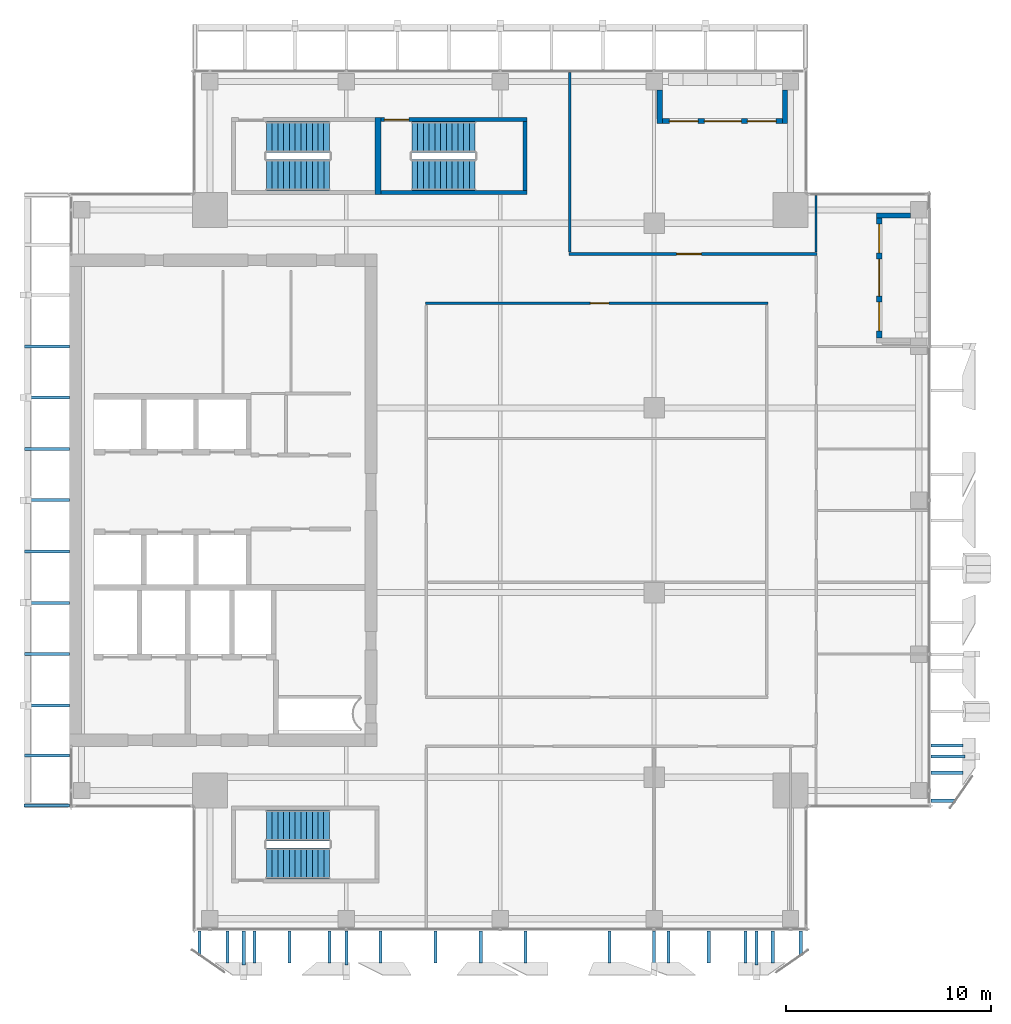
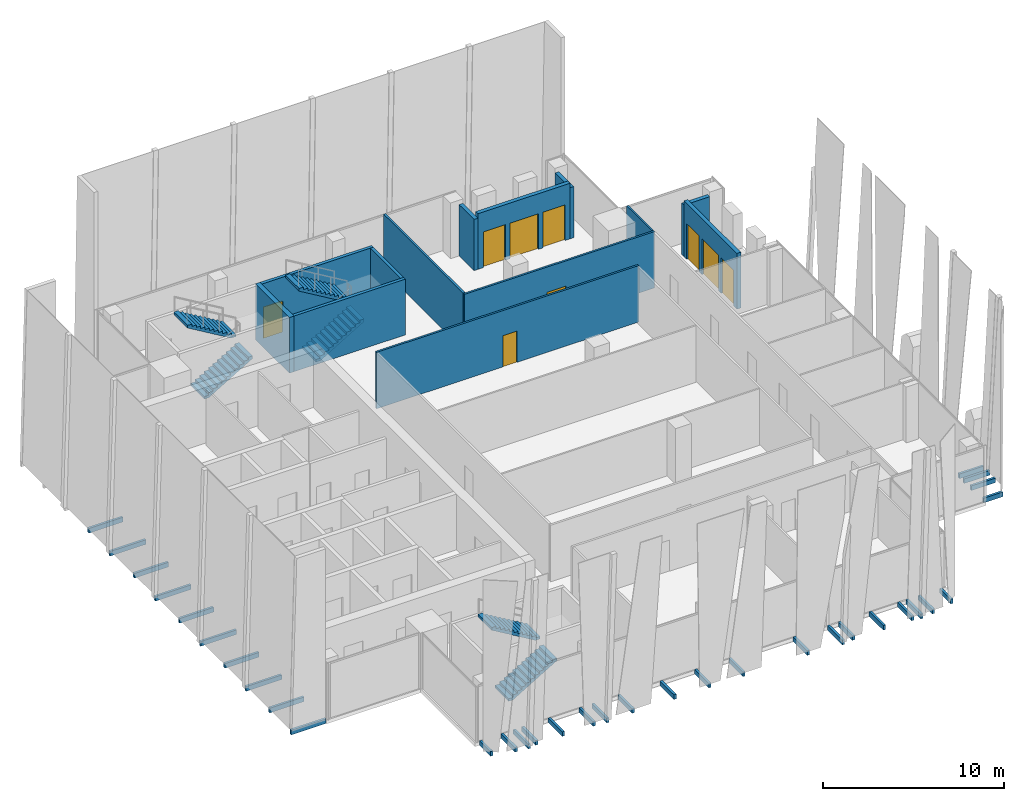
# One storey, part 28 of 33: 33 discrete accessories, 13 walls, 6 stair flights, 5 doors, 4 windows, 9 openings, 3 elements without a shape of their own.
"""IFC4 building model written with IfcOpenShell, lengths in metres."""

from ifc_helpers import new_model, si_unit, direction, frame, frame_2d, origin, origin_2d, place, context, subcontext, project, spatial, polyline, rectangle, outline, extrude, source, transform, mapped, material, layer, layer_set, type_object, element, fill, aggregate, save


model = new_model("IFC4")

# Units and contexts
model_context = context("Model", 3, precision=1e-05, world=origin(), true_north=direction((0.0, 1.0)))
body_context = subcontext(model_context, "Body", "Model", "MODEL_VIEW")
ifc_project = project(units=[si_unit("LENGTHUNIT", "METRE"), si_unit("AREAUNIT", "SQUARE_METRE"), si_unit("VOLUMEUNIT", "CUBIC_METRE"), si_unit("PLANEANGLEUNIT", "RADIAN"), si_unit("MASSUNIT", "GRAM", prefix="KILO")], contexts=[model_context])

# Site, building, storey
site_placement = place(None, origin())
site = spatial("IfcSite", under=ifc_project, at=site_placement, CompositionType="ELEMENT")
building_placement = place(site_placement, origin())
building = spatial("IfcBuilding", under=site, at=building_placement, Name="Khomas Fold Tower", CompositionType="ELEMENT")
storey_placement = place(building_placement, frame((0.0, 0.0, 294.199951171875)))
storey = spatial("IfcBuildingStorey", under=building, at=storey_placement, Name="L66", CompositionType="ELEMENT", Elevation=294.199951171875)

# Wall, opening, door
ifc_material_1 = material(Name="Concrete C50/60", Category="concrete")
ifc_layer_1 = layer(ifc_material_1, 0.199951171875)
ifc_layer_set_1 = layer_set([ifc_layer_1], Name="Concrete C50/60")
wall_type_1 = type_object("IfcWallType", Name="Stair wall 200", PredefinedType="SHEAR", material=ifc_layer_set_1)
shared_shape_1 = source(origin(), body_context, "Body", "SweptSolid", [
    extrude(rectangle(XDim=7.10009765625, YDim=0.199951171875, at=frame_2d((3.550048828125, 0.0))), origin(), (0.0, 0.0, 1.0), 3.75),
])
wall_1_placement = place(storey_placement, frame((21.199951171875, 45.550048828125, 0.0), z_axis=(0.0, 0.0, 1.0), x_axis=(1.0, 0.0, 0.0)))
wall_1 = element("IfcWall", 1, at=wall_1_placement, inside=storey, type_object=wall_type_1, Name="Stair wall SW-ST3-N", PredefinedType="SHEAR", context=body_context, shape_type="MappedRepresentation", body=[
    mapped(shared_shape_1, transform((0.0, 0.0, 0.0))),
])
shared_shape_2 = source(origin(), body_context, "Body", "SweptSolid", [
    extrude(rectangle(XDim=1.199951171875, YDim=2.10009765625, at=frame_2d((0.60009765625, 1.050048828125))), frame((0.0, 0.10986328125, 0.0), z_axis=(0.0, -1.0, 0.0), x_axis=(1.0, 0.0, 0.0)), (0.0, 0.0, 1.0), 0.219970703125),
])
opening_1_placement = place(wall_1_placement, frame((0.14990234375, 0.0, 0.0)))
opening_1 = element("IfcOpeningElement", 2, at=opening_1_placement, cuts=wall_1, Name="Opening SD-ST3", PredefinedType="OPENING", context=body_context, shape_type="MappedRepresentation", body=[
    mapped(shared_shape_2, transform((0.0, 0.0, 0.0))),
])
ifc_material_2 = material(Name="Steel door leaf", Category="steel")
door_type_1 = type_object("IfcDoorType", Name="Stair door 1200x2100 left-hand", OperationType="SINGLE_SWING_LEFT", PredefinedType="DOOR", material=ifc_material_2)
shared_shape_3 = source(origin(), body_context, "Body", "SweptSolid", [
    extrude(rectangle(XDim=1.199951171875, YDim=2.10009765625, at=frame_2d((0.60009765625, 1.050048828125))), frame((0.0, 0.02490234375, 0.0), z_axis=(0.0, -1.0, 0.0), x_axis=(1.0, 0.0, 0.0)), (0.0, 0.0, 1.0), 0.050048828125),
])
door_1_placement = place(opening_1_placement, origin())
door_1 = element("IfcDoor", 3, at=door_1_placement, inside=storey, type_object=door_type_1, Name="Stair door", OperationType="SINGLE_SWING_LEFT", OverallHeight=2.10009765625, OverallWidth=1.199951171875, PredefinedType="DOOR", context=body_context, shape_type="MappedRepresentation", body=[
    mapped(shared_shape_3, transform((0.0, 0.0, 0.0))),
])
fill(opening_1, door_1)

# Walls
wall_2_placement = place(storey_placement, frame((21.199951171875, 42.0, 0.0), z_axis=(0.0, 0.0, 1.0), x_axis=(1.0, 0.0, 0.0)))
element("IfcWall", 4, at=wall_2_placement, inside=storey, type_object=wall_type_1, Name="Stair wall SW-ST3-S", PredefinedType="SHEAR", context=body_context, shape_type="MappedRepresentation", body=[
    mapped(shared_shape_1, transform((0.0, 0.0, 0.0))),
])
ifc_material_3 = material(Name="Concrete C50/60", Category="concrete")
ifc_layer_2 = layer(ifc_material_3, 0.300048828125)
ifc_layer_set_2 = layer_set([ifc_layer_2], Name="Concrete C50/60")
wall_type_2 = type_object("IfcWallType", Name="Stair wall 300", PredefinedType="SHEAR", material=ifc_layer_set_2)
shared_shape_4 = source(origin(), body_context, "Body", "SweptSolid", [
    extrude(rectangle(XDim=3.75, YDim=0.300048828125, at=frame_2d((1.875, 0.0))), origin(), (0.0, 0.0, 1.0), 3.75),
])
wall_3_placement = place(storey_placement, frame((21.050048828125, 41.89990234375, 0.0), z_axis=(0.0, 0.0, 1.0), x_axis=(0.0, 1.0, 0.0)))
element("IfcWall", 5, at=wall_3_placement, inside=storey, type_object=wall_type_2, Name="Stair wall SW-ST1-E", PredefinedType="SHEAR", context=body_context, shape_type="MappedRepresentation", body=[
    mapped(shared_shape_4, transform((0.0, 0.0, 0.0))),
])
shared_shape_5 = source(origin(), body_context, "Body", "SweptSolid", [
    extrude(rectangle(XDim=3.349853515625, YDim=0.199951171875, at=frame_2d((1.6748046875, 0.0))), origin(), (0.0, 0.0, 1.0), 3.75),
])
wall_4_placement = place(storey_placement, frame((28.199951171875, 42.10009765625, 0.0), z_axis=(0.0, 0.0, 1.0), x_axis=(0.0, 1.0, 0.0)))
element("IfcWall", 6, at=wall_4_placement, inside=storey, type_object=wall_type_1, Name="Stair wall SW-ST3-E", PredefinedType="SHEAR", context=body_context, shape_type="MappedRepresentation", body=[
    mapped(shared_shape_5, transform((0.0, 0.0, 0.0))),
])

# Wall, openings, door, windows
ifc_material_4 = material(Name="Natural stone", Category="masonry")
ifc_layer_3 = layer(ifc_material_4, 0.0400390625)
ifc_material_5 = material(Name="Mineral wool insulation", Category="insulation")
ifc_layer_4 = layer(ifc_material_5, 0.10009765625)
ifc_material_6 = material(Name="Masonry", Category="masonry")
ifc_layer_5 = layer(ifc_material_6, 0.110107421875)
ifc_layer_set_3 = layer_set([ifc_layer_3, ifc_layer_4, ifc_layer_5], Name="Stone-faced insulated masonry")
wall_type_3 = type_object("IfcWallType", Name="BL-Balcony wall", PredefinedType="SOLIDWALL", material=ifc_layer_set_3)
shared_shape_6 = source(origin(), body_context, "Body", "SweptSolid", [
    extrude(rectangle(XDim=5.85009765625, YDim=0.25, at=frame_2d((2.925048828125, 0.0))), origin(), (0.0, 0.0, 1.0), 3.75),
])
wall_5_placement = place(storey_placement, frame((34.89990234375, 45.47509765625, 0.0), z_axis=(0.0, 0.0, 1.0), x_axis=(1.0, 0.0, 0.0)))
wall_5 = element("IfcWall", 7, at=wall_5_placement, inside=storey, type_object=wall_type_3, Name="Balcony wall BAL-L66-N4", PredefinedType="SOLIDWALL", context=body_context, shape_type="MappedRepresentation", body=[
    mapped(shared_shape_6, transform((0.0, 0.0, 0.0))),
])
shared_shape_7 = source(origin(), body_context, "Body", "SweptSolid", [
    extrude(rectangle(XDim=1.39990234375, YDim=2.39990234375, at=frame_2d((0.699951171875, 1.199951171875))), frame((0.0, 0.135009765625, 0.0), z_axis=(0.0, -1.0, 0.0), x_axis=(1.0, 0.0, 0.0)), (0.0, 0.0, 1.0), 0.27001953125),
])
opening_2_placement = place(wall_5_placement, frame((0.35009765625, 0.0, 0.0)))
opening_2 = element("IfcOpeningElement", 8, at=opening_2_placement, cuts=wall_5, Name="Opening BL-W6", PredefinedType="OPENING", context=body_context, shape_type="MappedRepresentation", body=[
    mapped(shared_shape_7, transform((0.0, 0.0, 0.0))),
])
opening_3_placement = place(wall_5_placement, frame((4.14990234375, 0.0, 0.0)))
opening_3 = element("IfcOpeningElement", 9, at=opening_3_placement, cuts=wall_5, Name="Opening BL-W6", PredefinedType="OPENING", context=body_context, shape_type="MappedRepresentation", body=[
    mapped(shared_shape_7, transform((0.0, 0.0, 0.0))),
])
shared_shape_8 = source(origin(), body_context, "Body", "SweptSolid", [
    extrude(rectangle(XDim=1.800048828125, YDim=2.39990234375, at=frame_2d((0.89990234375, 1.199951171875))), frame((0.0, 0.135009765625, 0.0), z_axis=(0.0, -1.0, 0.0), x_axis=(1.0, 0.0, 0.0)), (0.0, 0.0, 1.0), 0.27001953125),
])
opening_4_placement = place(wall_5_placement, frame((2.050048828125, 0.0, 0.0)))
opening_4 = element("IfcOpeningElement", 10, at=opening_4_placement, cuts=wall_5, Name="Opening BD661", PredefinedType="OPENING", context=body_context, shape_type="MappedRepresentation", body=[
    mapped(shared_shape_8, transform((0.0, 0.0, 0.0))),
])
ifc_material_7 = material(Name="Aluminium framed double glazing", Category="aluminium")
door_type_2 = type_object("IfcDoorType", Name="BL-Glazed balcony door 1800 x 2400", OperationType="DOUBLE_DOOR_DOUBLE_SWING", PredefinedType="DOOR", material=ifc_material_7)
shared_shape_9 = source(origin(), body_context, "Body", "SweptSolid", [
    extrude(rectangle(XDim=1.800048828125, YDim=2.39990234375, at=frame_2d((0.89990234375, 1.199951171875))), frame((0.0, 0.02490234375, 0.0), z_axis=(0.0, -1.0, 0.0), x_axis=(1.0, 0.0, 0.0)), (0.0, 0.0, 1.0), 0.050048828125),
])
door_2_placement = place(opening_4_placement, origin())
door_2 = element("IfcDoor", 11, at=door_2_placement, inside=storey, type_object=door_type_2, Name="Balcony door BD661", OperationType="DOUBLE_DOOR_DOUBLE_SWING", OverallHeight=2.39990234375, OverallWidth=1.800048828125, PredefinedType="DOOR", context=body_context, shape_type="MappedRepresentation", body=[
    mapped(shared_shape_9, transform((0.0, 0.0, 0.0))),
])
fill(opening_4, door_2)
ifc_material_8 = material(Name="Aluminium framed double glazing", Category="aluminium")
window_type = type_object("IfcWindowType", Name="BL-Fixed glazing 1400 x 2400", PartitioningType="SINGLE_PANEL", PredefinedType="WINDOW", material=ifc_material_8)
shared_shape_10 = source(origin(), body_context, "Body", "SweptSolid", [
    extrude(rectangle(XDim=1.39990234375, YDim=2.39990234375, at=frame_2d((0.699951171875, 1.199951171875))), frame((0.0, 0.030029296875, 0.0), z_axis=(0.0, -1.0, 0.0), x_axis=(1.0, 0.0, 0.0)), (0.0, 0.0, 1.0), 0.06005859375),
])
window_1_placement = place(opening_2_placement, origin())
window_1 = element("IfcWindow", 12, at=window_1_placement, inside=storey, type_object=window_type, Name="Balcony glazing BAL-L66-N4-1", OverallHeight=2.39990234375, OverallWidth=1.39990234375, PartitioningType="SINGLE_PANEL", PredefinedType="WINDOW", context=body_context, shape_type="MappedRepresentation", body=[
    mapped(shared_shape_10, transform((0.0, 0.0, 0.0))),
])
fill(opening_2, window_1)
window_2_placement = place(opening_3_placement, origin())
window_2 = element("IfcWindow", 13, at=window_2_placement, inside=storey, type_object=window_type, Name="Balcony glazing BAL-L66-N4-2", OverallHeight=2.39990234375, OverallWidth=1.39990234375, PartitioningType="SINGLE_PANEL", PredefinedType="WINDOW", context=body_context, shape_type="MappedRepresentation", body=[
    mapped(shared_shape_10, transform((0.0, 0.0, 0.0))),
])
fill(opening_3, window_2)

wall_6_placement = place(storey_placement, frame((45.47509765625, 34.89990234375, 0.0), z_axis=(0.0, 0.0, 1.0), x_axis=(0.0, 1.0, 0.0)))
wall_6 = element("IfcWall", 14, at=wall_6_placement, inside=storey, type_object=wall_type_3, Name="Balcony wall BAL-L66-E4", PredefinedType="SOLIDWALL", context=body_context, shape_type="MappedRepresentation", body=[
    mapped(shared_shape_6, transform((0.0, 0.0, 0.0))),
])
opening_5_placement = place(wall_6_placement, frame((0.35009765625, 0.0, 0.0)))
opening_5 = element("IfcOpeningElement", 15, at=opening_5_placement, cuts=wall_6, Name="Opening BL-W6", PredefinedType="OPENING", context=body_context, shape_type="MappedRepresentation", body=[
    mapped(shared_shape_7, transform((0.0, 0.0, 0.0))),
])
opening_6_placement = place(wall_6_placement, frame((4.14990234375, 0.0, 0.0)))
opening_6 = element("IfcOpeningElement", 16, at=opening_6_placement, cuts=wall_6, Name="Opening BL-W6", PredefinedType="OPENING", context=body_context, shape_type="MappedRepresentation", body=[
    mapped(shared_shape_7, transform((0.0, 0.0, 0.0))),
])
opening_7_placement = place(wall_6_placement, frame((2.050048828125, 0.0, 0.0)))
opening_7 = element("IfcOpeningElement", 17, at=opening_7_placement, cuts=wall_6, Name="Opening BD662", PredefinedType="OPENING", context=body_context, shape_type="MappedRepresentation", body=[
    mapped(shared_shape_8, transform((0.0, 0.0, 0.0))),
])
door_3_placement = place(opening_7_placement, origin())
door_3 = element("IfcDoor", 18, at=door_3_placement, inside=storey, type_object=door_type_2, Name="Balcony door BD662", OperationType="DOUBLE_DOOR_DOUBLE_SWING", OverallHeight=2.39990234375, OverallWidth=1.800048828125, PredefinedType="DOOR", context=body_context, shape_type="MappedRepresentation", body=[
    mapped(shared_shape_9, transform((0.0, 0.0, 0.0))),
])
fill(opening_7, door_3)
window_3_placement = place(opening_5_placement, origin())
window_3 = element("IfcWindow", 19, at=window_3_placement, inside=storey, type_object=window_type, Name="Balcony glazing BAL-L66-E4-1", OverallHeight=2.39990234375, OverallWidth=1.39990234375, PartitioningType="SINGLE_PANEL", PredefinedType="WINDOW", context=body_context, shape_type="MappedRepresentation", body=[
    mapped(shared_shape_10, transform((0.0, 0.0, 0.0))),
])
fill(opening_5, window_3)
window_4_placement = place(opening_6_placement, origin())
window_4 = element("IfcWindow", 20, at=window_4_placement, inside=storey, type_object=window_type, Name="Balcony glazing BAL-L66-E4-2", OverallHeight=2.39990234375, OverallWidth=1.39990234375, PartitioningType="SINGLE_PANEL", PredefinedType="WINDOW", context=body_context, shape_type="MappedRepresentation", body=[
    mapped(shared_shape_10, transform((0.0, 0.0, 0.0))),
])
fill(opening_6, window_4)

# Walls
shared_shape_11 = source(origin(), body_context, "Body", "SweptSolid", [
    extrude(rectangle(XDim=1.64990234375, YDim=0.25, at=frame_2d((0.824951171875, 0.0))), origin(), (0.0, 0.0, 1.0), 3.449951171875),
])
for number, where, z_axis, x_axis, name in (
    (21, (34.77490234375, 47.0, 0.0), (0.0, 0.0, 1.0), (0.0, -1.0, 0.0), "Balcony return wall BAL-L66-N4-lo"),
    (22, (40.875, 47.0, 0.0), (0.0, 0.0, 1.0), (0.0, -1.0, 0.0), "Balcony return wall BAL-L66-N4-hi"),
    (23, (47.0, 40.875, 0.0), (0.0, 0.0, 1.0), (-1.0, 0.0, 0.0), "Balcony return wall BAL-L66-E4-hi"),
):
    element("IfcWall", number, at=place(storey_placement, frame(where, z_axis=z_axis, x_axis=x_axis)), inside=storey, type_object=wall_type_3, Name=name, PredefinedType="SOLIDWALL", context=body_context, shape_type="MappedRepresentation", body=[
        mapped(shared_shape_11, transform((0.0, 0.0, 0.0))),
    ])
ifc_material_9 = material(Name="Plasterboard partition")
ifc_layer_6 = layer(ifc_material_9, 0.125)
ifc_layer_set_4 = layer_set([ifc_layer_6], Name="Plasterboard partition")
wall_type_4 = type_object("IfcWallType", Name="Partition PW2 125", PredefinedType="PARTITIONING", material=ifc_layer_set_4)
shared_shape_12 = source(origin(), body_context, "Body", "SweptSolid", [
    extrude(rectangle(XDim=8.75, YDim=0.125, at=frame_2d((4.375, 0.0))), origin(), (0.0, 0.0, 1.0), 3.800048828125),
])
wall_7_placement = place(storey_placement, frame((30.39990234375, 39.10009765625, 0.0), z_axis=(0.0, 0.0, 1.0), x_axis=(0.0, 1.0, 0.0)))
element("IfcWall", 24, at=wall_7_placement, inside=storey, type_object=wall_type_4, Name="Partition", PredefinedType="PARTITIONING", context=body_context, shape_type="MappedRepresentation", body=[
    mapped(shared_shape_12, transform((0.0, 0.0, 0.0))),
])
ifc_material_10 = material(Name="Plasterboard partition")
ifc_layer_7 = layer(ifc_material_10, 0.10009765625)
ifc_layer_set_5 = layer_set([ifc_layer_7], Name="Plasterboard partition")
wall_type_5 = type_object("IfcWallType", Name="Partition PW1 100", PredefinedType="PARTITIONING", material=ifc_layer_set_5)
shared_shape_13 = source(origin(), body_context, "Body", "SweptSolid", [
    extrude(rectangle(XDim=2.75, YDim=0.10009765625, at=frame_2d((1.375, 0.0))), origin(), (0.0, 0.0, 1.0), 3.800048828125),
])
wall_8_placement = place(storey_placement, frame((42.39990234375, 39.10009765625, 0.0), z_axis=(0.0, 0.0, 1.0), x_axis=(0.0, 1.0, 0.0)))
element("IfcWall", 25, at=wall_8_placement, inside=storey, type_object=wall_type_5, Name="Partition", PredefinedType="PARTITIONING", context=body_context, shape_type="MappedRepresentation", body=[
    mapped(shared_shape_13, transform((0.0, 0.0, 0.0))),
])

# Wall, opening, door
shared_shape_14 = source(origin(), body_context, "Body", "SweptSolid", [
    extrude(rectangle(XDim=16.699951171875, YDim=0.125, at=frame_2d((8.35009765625, 0.0))), origin(), (0.0, 0.0, 1.0), 3.800048828125),
])
wall_9_placement = place(storey_placement, frame((23.35009765625, 36.60009765625, 0.0), z_axis=(0.0, 0.0, 1.0), x_axis=(1.0, 0.0, 0.0)))
wall_9 = element("IfcWall", 26, at=wall_9_placement, inside=storey, type_object=wall_type_4, Name="Partition", PredefinedType="PARTITIONING", context=body_context, shape_type="MappedRepresentation", body=[
    mapped(shared_shape_14, transform((0.0, 0.0, 0.0))),
])
shared_shape_15 = source(origin(), body_context, "Body", "SweptSolid", [
    extrude(rectangle(XDim=0.89990234375, YDim=2.10009765625, at=frame_2d((0.449951171875, 1.050048828125))), frame((0.0, 0.072509765625, 0.0), z_axis=(0.0, -1.0, 0.0), x_axis=(1.0, 0.0, 0.0)), (0.0, 0.0, 1.0), 0.14501953125),
])
opening_8_placement = place(wall_9_placement, frame((8.050048828125, 0.0, 0.0)))
opening_8 = element("IfcOpeningElement", 27, at=opening_8_placement, cuts=wall_9, Name="Opening 0008", PredefinedType="OPENING", context=body_context, shape_type="MappedRepresentation", body=[
    mapped(shared_shape_15, transform((0.0, 0.0, 0.0))),
])
ifc_material_11 = material(Name="Timber door leaf", Category="wood")
door_type_3 = type_object("IfcDoorType", Name="Door 900x2100 right-hand", OperationType="SINGLE_SWING_RIGHT", PredefinedType="DOOR", material=ifc_material_11)
shared_shape_16 = source(origin(), body_context, "Body", "SweptSolid", [
    extrude(rectangle(XDim=0.89990234375, YDim=2.10009765625, at=frame_2d((0.449951171875, 1.050048828125))), frame((0.0, 0.02490234375, 0.0), z_axis=(0.0, -1.0, 0.0), x_axis=(1.0, 0.0, 0.0)), (0.0, 0.0, 1.0), 0.050048828125),
])
door_4_placement = place(opening_8_placement, origin())
door_4 = element("IfcDoor", 28, at=door_4_placement, inside=storey, type_object=door_type_3, Name="Door", OperationType="SINGLE_SWING_RIGHT", OverallHeight=2.10009765625, OverallWidth=0.89990234375, PredefinedType="DOOR", context=body_context, shape_type="MappedRepresentation", body=[
    mapped(shared_shape_16, transform((0.0, 0.0, 0.0))),
])
fill(opening_8, door_4)

shared_shape_17 = source(origin(), body_context, "Body", "SweptSolid", [
    extrude(rectangle(XDim=12.099853515625, YDim=0.125, at=frame_2d((6.0498046875, 0.0))), origin(), (0.0, 0.0, 1.0), 3.800048828125),
])
wall_10_placement = place(storey_placement, frame((30.35009765625, 39.0, 0.0), z_axis=(0.0, 0.0, 1.0), x_axis=(1.0, 0.0, 0.0)))
wall_10 = element("IfcWall", 29, at=wall_10_placement, inside=storey, type_object=wall_type_4, Name="Partition", PredefinedType="PARTITIONING", context=body_context, shape_type="MappedRepresentation", body=[
    mapped(shared_shape_17, transform((0.0, 0.0, 0.0))),
])
shared_shape_18 = source(origin(), body_context, "Body", "SweptSolid", [
    extrude(rectangle(XDim=1.199951171875, YDim=2.10009765625, at=frame_2d((0.60009765625, 1.050048828125))), frame((0.0, 0.072509765625, 0.0), z_axis=(0.0, -1.0, 0.0), x_axis=(1.0, 0.0, 0.0)), (0.0, 0.0, 1.0), 0.14501953125),
])
opening_9_placement = place(wall_10_placement, frame((5.25, 0.0, 0.0)))
opening_9 = element("IfcOpeningElement", 30, at=opening_9_placement, cuts=wall_10, Name="Opening 0013", PredefinedType="OPENING", context=body_context, shape_type="MappedRepresentation", body=[
    mapped(shared_shape_18, transform((0.0, 0.0, 0.0))),
])
ifc_material_12 = material(Name="Timber door leaf", Category="wood")
door_type_4 = type_object("IfcDoorType", Name="Door 1200x2100 left-hand", OperationType="SINGLE_SWING_LEFT", PredefinedType="DOOR", material=ifc_material_12)
door_5_placement = place(opening_9_placement, origin())
door_5 = element("IfcDoor", 31, at=door_5_placement, inside=storey, type_object=door_type_4, Name="Door", OperationType="SINGLE_SWING_LEFT", OverallHeight=2.10009765625, OverallWidth=1.199951171875, PredefinedType="DOOR", context=body_context, shape_type="MappedRepresentation", body=[
    mapped(shared_shape_3, transform((0.0, 0.0, 0.0))),
])
fill(opening_9, door_5)

# Stair, stair flights
ifc_material_13 = material(Name="Concrete C40/50", Category="concrete")
stair_type_1 = type_object("IfcStairType", Name="Stair ST1", PredefinedType="HALF_TURN_STAIR", material=ifc_material_13)
stair_1_placement = place(storey_placement, origin())
stair_1 = element("IfcStair", 32, at=stair_1_placement, inside=storey, type_object=stair_type_1, Name="L66 ST1", PredefinedType="HALF_TURN_STAIR")
ifc_material_14 = material(Name="Concrete C40/50", Category="concrete")
stair_flight_type_1 = type_object("IfcStairFlightType", Name="Stair flight 1500 ST1", PredefinedType="STRAIGHT", material=ifc_material_14)
shared_shape_19 = source(origin(), body_context, "Body", "SweptSolid", [
    extrude(outline(polyline([(0.0, 0.0), (0.0, 0.012939453125), (0.0, 0.025634765625), (0.0, 0.03857421875), (0.0, 0.05126953125), (0.0, 0.064208984375), (0.0, 0.076904296875), (0.0, 0.08984375), (0.0, 0.1025390625), (0.0, 0.115478515625), (0.0, 0.128173828125), (0.0, 0.14111328125), (0.0, 0.15380859375), (0.0, 0.166748046875), (0.280029296875, 0.166748046875), (0.280029296875, 0.333251953125), (0.56005859375, 0.333251953125), (0.56005859375, 0.5), (0.840087890625, 0.5), (0.840087890625, 0.666748046875), (1.1201171875, 0.666748046875), (1.1201171875, 0.833251953125), (1.39990234375, 0.833251953125), (1.39990234375, 1.0), (1.679931640625, 1.0), (1.679931640625, 1.166748046875), (1.9599609375, 1.166748046875), (1.9599609375, 1.333251953125), (2.239990234375, 1.333251953125), (2.239990234375, 1.5), (2.52001953125, 1.5), (2.52001953125, 1.666748046875), (2.800048828125, 1.666748046875), (2.800048828125, 1.833251953125), (3.080078125, 1.833251953125), (3.080078125, 2.0), (3.080078125, 1.973876953125), (3.080078125, 1.947509765625), (3.080078125, 1.92138671875), (3.080078125, 1.89501953125), (3.080078125, 1.868896484375), (3.080078125, 1.842529296875), (3.080078125, 1.81640625), (3.080078125, 1.7900390625), (3.080078125, 1.763916015625), (3.080078125, 1.737548828125), (3.080078125, 1.71142578125), (3.080078125, 1.68505859375), (3.080078125, 1.658935546875), (0.29296875, 0.0), (0.0, 0.0)])), frame((0.0, 0.75, 0.0), z_axis=(0.0, -1.0, 0.0), x_axis=(1.0, 0.0, 0.0)), (0.0, 0.0, 1.0), 1.5),
])
stair_flight_1_placement = place(storey_placement, frame((15.60009765625, 42.85009765625, 0.0), z_axis=(0.0, 0.0, 1.0), x_axis=(1.0, 0.0, 0.0)))
stair_flight_1 = element("IfcStairFlight", 33, at=stair_flight_1_placement, type_object=stair_flight_type_1, Name="ST1 flight 1", NumberOfRisers=12, NumberOfTreads=11, PredefinedType="STRAIGHT", RiserHeight=0.166666667, TreadLength=0.28, context=body_context, shape_type="MappedRepresentation", body=[
    mapped(shared_shape_19, transform((0.0, 0.0, 0.0))),
])
stair_flight_2_placement = place(storey_placement, frame((18.679931640625, 44.699951171875, 2.0), z_axis=(0.0, 0.0, 1.0), x_axis=(-1.0, 0.0, 0.0)))
stair_flight_2 = element("IfcStairFlight", 34, at=stair_flight_2_placement, type_object=stair_flight_type_1, Name="ST1 flight 2", NumberOfRisers=12, NumberOfTreads=11, PredefinedType="STRAIGHT", RiserHeight=0.166666667, TreadLength=0.28, context=body_context, shape_type="MappedRepresentation", body=[
    mapped(shared_shape_19, transform((0.0, 0.0, 0.0))),
])
aggregate(stair_1, [stair_flight_1, stair_flight_2])

ifc_material_15 = material(Name="Concrete C40/50", Category="concrete")
stair_type_2 = type_object("IfcStairType", Name="Stair ST2", PredefinedType="HALF_TURN_STAIR", material=ifc_material_15)
stair_2_placement = place(storey_placement, origin())
stair_2 = element("IfcStair", 35, at=stair_2_placement, inside=storey, type_object=stair_type_2, Name="L66 ST2", PredefinedType="HALF_TURN_STAIR")
ifc_material_16 = material(Name="Concrete C40/50", Category="concrete")
stair_flight_type_2 = type_object("IfcStairFlightType", Name="Stair flight 1500 ST2", PredefinedType="STRAIGHT", material=ifc_material_16)
stair_flight_3_placement = place(storey_placement, frame((15.60009765625, 9.300048828125, 0.0), z_axis=(0.0, 0.0, 1.0), x_axis=(1.0, 0.0, 0.0)))
stair_flight_3 = element("IfcStairFlight", 36, at=stair_flight_3_placement, type_object=stair_flight_type_2, Name="ST2 flight 1", NumberOfRisers=12, NumberOfTreads=11, PredefinedType="STRAIGHT", RiserHeight=0.166666667, TreadLength=0.28, context=body_context, shape_type="MappedRepresentation", body=[
    mapped(shared_shape_19, transform((0.0, 0.0, 0.0))),
])
stair_flight_4_placement = place(storey_placement, frame((18.679931640625, 11.14990234375, 2.0), z_axis=(0.0, 0.0, 1.0), x_axis=(-1.0, 0.0, 0.0)))
stair_flight_4 = element("IfcStairFlight", 37, at=stair_flight_4_placement, type_object=stair_flight_type_2, Name="ST2 flight 2", NumberOfRisers=12, NumberOfTreads=11, PredefinedType="STRAIGHT", RiserHeight=0.166666667, TreadLength=0.28, context=body_context, shape_type="MappedRepresentation", body=[
    mapped(shared_shape_19, transform((0.0, 0.0, 0.0))),
])
aggregate(stair_2, [stair_flight_3, stair_flight_4])

ifc_material_17 = material(Name="Concrete C40/50", Category="concrete")
stair_type_3 = type_object("IfcStairType", Name="Stair ST3", PredefinedType="HALF_TURN_STAIR", material=ifc_material_17)
stair_3_placement = place(storey_placement, origin())
stair_3 = element("IfcStair", 38, at=stair_3_placement, inside=storey, type_object=stair_type_3, Name="L66 ST3", PredefinedType="HALF_TURN_STAIR")
ifc_material_18 = material(Name="Concrete C40/50", Category="concrete")
stair_flight_type_3 = type_object("IfcStairFlightType", Name="Stair flight 1500 ST3", PredefinedType="STRAIGHT", material=ifc_material_18)
stair_flight_5_placement = place(storey_placement, frame((22.699951171875, 42.85009765625, 0.0), z_axis=(0.0, 0.0, 1.0), x_axis=(1.0, 0.0, 0.0)))
stair_flight_5 = element("IfcStairFlight", 39, at=stair_flight_5_placement, type_object=stair_flight_type_3, Name="ST3 flight 1", NumberOfRisers=12, NumberOfTreads=11, PredefinedType="STRAIGHT", RiserHeight=0.166666667, TreadLength=0.28, context=body_context, shape_type="MappedRepresentation", body=[
    mapped(shared_shape_19, transform((0.0, 0.0, 0.0))),
])
stair_flight_6_placement = place(storey_placement, frame((25.780029296875, 44.699951171875, 2.0), z_axis=(0.0, 0.0, 1.0), x_axis=(-1.0, 0.0, 0.0)))
stair_flight_6 = element("IfcStairFlight", 40, at=stair_flight_6_placement, type_object=stair_flight_type_3, Name="ST3 flight 2", NumberOfRisers=12, NumberOfTreads=11, PredefinedType="STRAIGHT", RiserHeight=0.166666667, TreadLength=0.28, context=body_context, shape_type="MappedRepresentation", body=[
    mapped(shared_shape_19, transform((0.0, 0.0, 0.0))),
])
aggregate(stair_3, [stair_flight_5, stair_flight_6])

# Discrete accessories
ifc_material_19 = material(Name="Stainless steel", Category="steel")
discrete_accessory_type = type_object("IfcDiscreteAccessoryType", Name="SK-Stainless steel stone bracket", PredefinedType="BRACKET", material=ifc_material_19)
shared_shape_20 = source(origin(), body_context, "Body", "SweptSolid", [
    extrude(rectangle(XDim=2.17822265625, YDim=0.14990234375, at=origin_2d()), origin(), (0.0, 0.0, 1.0), 0.31005859375),
])
for number, where, z_axis, x_axis, name in (
    (41, (4.910888671875, 14.550048828125, -0.25), (0.0, 0.0, 1.0), (-1.0, 0.0, 0.0), "Stone bracket L66 PLWG01"),
    (42, (4.910888671875, 19.5, -0.25), (0.0, 0.0, 1.0), (-1.0, 0.0, 0.0), "Stone bracket L66 PLWG03"),
    (43, (4.910888671875, 24.5, -0.25), (0.0, 0.0, 1.0), (-1.0, 0.0, 0.0), "Stone bracket L66 PLWG05"),
    (44, (4.910888671875, 29.5, -0.25), (0.0, 0.0, 1.0), (-1.0, 0.0, 0.0), "Stone bracket L66 PLWG07"),
    (45, (4.910888671875, 34.5, -0.25), (0.0, 0.0, 1.0), (-1.0, 0.0, 0.0), "Stone bracket L66 PLWG09"),
):
    element("IfcDiscreteAccessory", number, at=place(storey_placement, frame(where, z_axis=z_axis, x_axis=x_axis)), inside=storey, type_object=discrete_accessory_type, Name=name, PredefinedType="BRACKET", context=body_context, shape_type="MappedRepresentation", body=[
        mapped(shared_shape_20, transform((0.0, 0.0, 0.0))),
    ])
shared_shape_21 = source(origin(), body_context, "Body", "SweptSolid", [
    extrude(rectangle(XDim=1.555419921875, YDim=0.14990234375, at=origin_2d()), origin(), (0.0, 0.0, 1.0), 0.31005859375),
])
for number, where, z_axis, x_axis, name in (
    (46, (16.724365234375, 5.22216796875, -0.25), (0.0, 0.0, 1.0), (0.0, -1.0, 0.0), "Stone bracket L66 SS03-1-4"),
    (47, (23.8369140625, 5.22216796875, -0.25), (0.0, 0.0, 1.0), (0.0, -1.0, 0.0), "Stone bracket L66 SS06-2-4"),
    (48, (37.1630859375, 5.22216796875, -0.25), (0.0, 0.0, 1.0), (0.0, -1.0, 0.0), "Stone bracket L66 SS12-4-4"),
    (49, (13.71533203125, 5.22216796875, -0.25), (0.0, 0.0, 1.0), (0.0, -1.0, 0.0), "Stone bracket L66 SG098-1-1"),
    (50, (15.034912109375, 5.22216796875, -0.25), (0.0, 0.0, 1.0), (0.0, -1.0, 0.0), "Stone bracket L66 SG099-3-1"),
    (51, (21.176025390625, 5.22216796875, -0.25), (0.0, 0.0, 1.0), (0.0, -1.0, 0.0), "Stone bracket L66 SG100-5-1"),
    (52, (18.68798828125, 5.22216796875, -0.25), (0.0, 0.0, 1.0), (0.0, -1.0, 0.0), "Stone bracket L66 SG099-6-1"),
    (53, (28.22412109375, 5.22216796875, -0.25), (0.0, 0.0, 1.0), (0.0, -1.0, 0.0), "Stone bracket L66 SG101-8-1"),
    (54, (26.0537109375, 5.22216796875, -0.25), (0.0, 0.0, 1.0), (0.0, -1.0, 0.0), "Stone bracket L66 SG101-9-1"),
    (55, (35.19970703125, 5.22216796875, -0.25), (0.0, 0.0, 1.0), (0.0, -1.0, 0.0), "Stone bracket L66 SG103-11-1"),
    (56, (32.32421875, 5.22216796875, -0.25), (0.0, 0.0, 1.0), (0.0, -1.0, 0.0), "Stone bracket L66 SG102-12-1"),
    (57, (38.965087890625, 5.22216796875, -0.25), (0.0, 0.0, 1.0), (0.0, -1.0, 0.0), "Stone bracket L66 SG103-13-1"),
    (58, (40.28466796875, 5.22216796875, -0.25), (0.0, 0.0, 1.0), (0.0, -1.0, 0.0), "Stone bracket L66 SG104-15-1"),
    (59, (48.77783203125, 13.71533203125, -0.25), (0.0, 0.0, 1.0), (1.0, 0.0, 0.0), "Stone bracket L66 EG098-1-1"),
    (60, (48.77783203125, 15.034912109375, -0.25), (0.0, 0.0, 1.0), (1.0, 0.0, 0.0), "Stone bracket L66 EG099-3-1"),
):
    element("IfcDiscreteAccessory", number, at=place(storey_placement, frame(where, z_axis=z_axis, x_axis=x_axis)), inside=storey, type_object=discrete_accessory_type, Name=name, PredefinedType="BRACKET", context=body_context, shape_type="MappedRepresentation", body=[
        mapped(shared_shape_21, transform((0.0, 0.0, 0.0))),
    ])
shared_shape_22 = source(origin(), body_context, "Body", "SweptSolid", [
    extrude(rectangle(XDim=1.650390625, YDim=0.14990234375, at=origin_2d()), origin(), (0.0, 0.0, 1.0), 0.31005859375),
])
for number, where, z_axis, x_axis, name in (
    (61, (14.5, 5.1748046875, -0.25), (0.0, 0.0, 1.0), (0.0, -1.0, 0.0), "Stone bracket L66 SM099-2-1"),
    (62, (19.5, 5.1748046875, -0.25), (0.0, 0.0, 1.0), (0.0, -1.0, 0.0), "Stone bracket L66 SM100-7-1"),
    (63, (34.5, 5.1748046875, -0.25), (0.0, 0.0, 1.0), (0.0, -1.0, 0.0), "Stone bracket L66 SM103-10-1"),
    (64, (39.5, 5.1748046875, -0.25), (0.0, 0.0, 1.0), (0.0, -1.0, 0.0), "Stone bracket L66 SM104-14-1"),
    (65, (48.8251953125, 14.5, -0.25), (0.0, 0.0, 1.0), (1.0, 0.0, 0.0), "Stone bracket L66 EM099-2-1"),
):
    element("IfcDiscreteAccessory", number, at=place(storey_placement, frame(where, z_axis=z_axis, x_axis=x_axis)), inside=storey, type_object=discrete_accessory_type, Name=name, PredefinedType="BRACKET", context=body_context, shape_type="MappedRepresentation", body=[
        mapped(shared_shape_22, transform((0.0, 0.0, 0.0))),
    ])
shared_shape_23 = source(origin(), body_context, "Body", "SweptSolid", [
    extrude(rectangle(XDim=1.2236328125, YDim=0.14990234375, at=origin_2d()), origin(), (0.0, 0.0, 1.0), 0.31005859375),
])
for number, where, z_axis, x_axis, name in (
    (66, (12.352294921875, 5.38818359375, -0.25), (0.0, 0.0, 1.0), (0.0, -1.0, 0.0), "Stone bracket L66 SG098-4-1"),
    (67, (41.647705078125, 5.38818359375, -0.25), (0.0, 0.0, 1.0), (0.0, -1.0, 0.0), "Stone bracket L66 SG104-16-1"),
    (68, (48.61181640625, 12.352294921875, -0.25), (0.0, 0.0, 1.0), (1.0, 0.0, 0.0), "Stone bracket L66 EG098-4-1"),
):
    element("IfcDiscreteAccessory", number, at=place(storey_placement, frame(where, z_axis=z_axis, x_axis=x_axis)), inside=storey, type_object=discrete_accessory_type, Name=name, PredefinedType="BRACKET", context=body_context, shape_type="MappedRepresentation", body=[
        mapped(shared_shape_23, transform((0.0, 0.0, 0.0))),
    ])
shared_shape_24 = source(origin(), body_context, "Body", "SweptSolid", [
    extrude(rectangle(XDim=2.273193359375, YDim=0.14990234375, at=origin_2d()), origin(), (0.0, 0.0, 1.0), 0.31005859375),
])
for number, where, z_axis, x_axis, name in (
    (69, (4.863525390625, 17.0, -0.25), (0.0, 0.0, 1.0), (-1.0, 0.0, 0.0), "Stone bracket L66 PLWM02"),
    (70, (4.863525390625, 22.0, -0.25), (0.0, 0.0, 1.0), (-1.0, 0.0, 0.0), "Stone bracket L66 PLWM04"),
    (71, (4.863525390625, 27.0, -0.25), (0.0, 0.0, 1.0), (-1.0, 0.0, 0.0), "Stone bracket L66 PLWM06"),
    (72, (4.863525390625, 32.0, -0.25), (0.0, 0.0, 1.0), (-1.0, 0.0, 0.0), "Stone bracket L66 PLWM08"),
):
    element("IfcDiscreteAccessory", number, at=place(storey_placement, frame(where, z_axis=z_axis, x_axis=x_axis)), inside=storey, type_object=discrete_accessory_type, Name=name, PredefinedType="BRACKET", context=body_context, shape_type="MappedRepresentation", body=[
        mapped(shared_shape_24, transform((0.0, 0.0, 0.0))),
    ])
shared_shape_25 = source(origin(), body_context, "Body", "SweptSolid", [
    extrude(rectangle(XDim=2.21826171875, YDim=0.14990234375, at=origin_2d()), origin(), (0.0, 0.0, 1.0), 0.31005859375),
])
discrete_accessory_placement = place(storey_placement, frame((4.890869140625, 12.125, -0.25), z_axis=(0.0, 0.0, 1.0), x_axis=(-1.0, 0.0, 0.0)))
element("IfcDiscreteAccessory", 73, at=discrete_accessory_placement, inside=storey, type_object=discrete_accessory_type, Name="Stone bracket L66 PLWR1", PredefinedType="BRACKET", context=body_context, shape_type="MappedRepresentation", body=[
    mapped(shared_shape_25, transform((0.0, 0.0, 0.0))),
])

save(model, "model.ifc")
